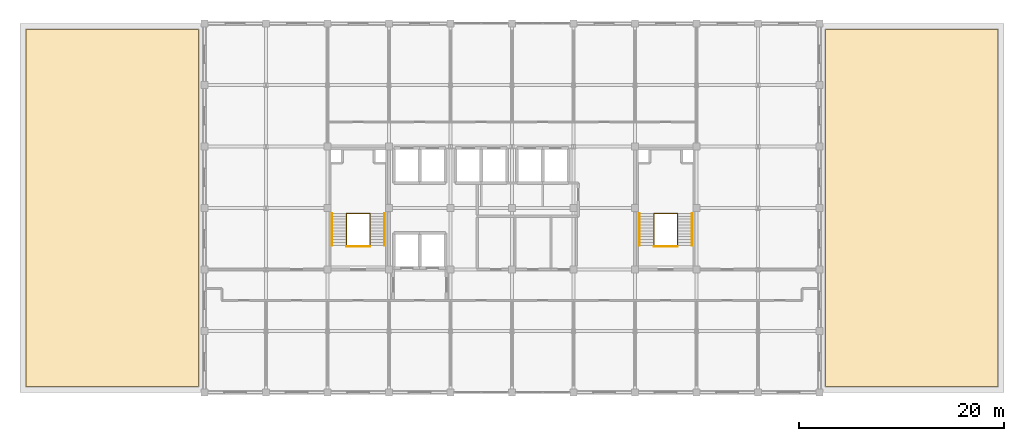
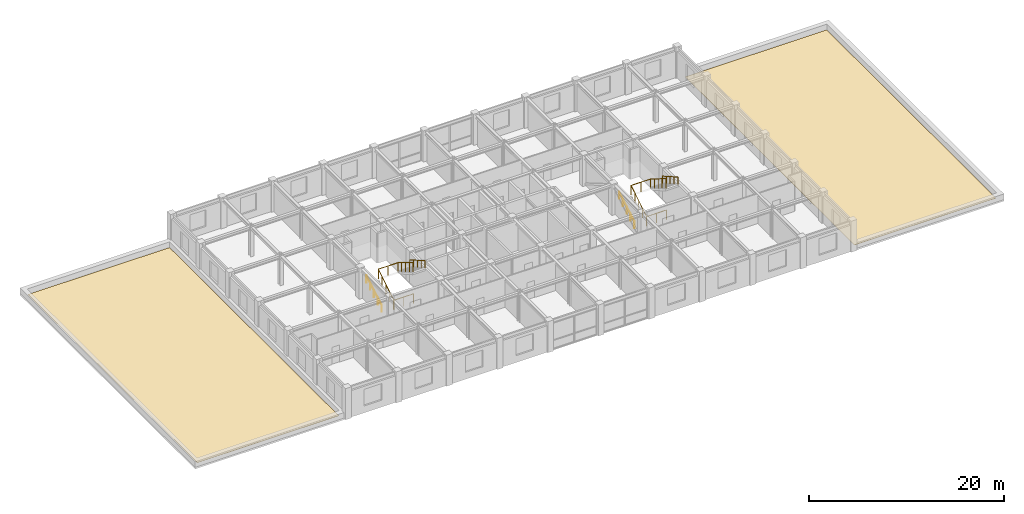
# One storey, part 13 of 13: 8 railings, 2 coverings.
"""IFC4 building model written with IfcOpenShell, lengths in metres."""

from ifc_helpers import new_model, si_unit, direction, frame, origin, origin_2d, place, context, subcontext, project, spatial, polyline, circle, outline, extrude, material, layer, layer_set, type_object, element, save


model = new_model("IFC4")

# Units and contexts
model_context = context("Model", 3, precision=1e-05, world=origin(), true_north=direction((0.0, 1.0)))
body_context = subcontext(model_context, "Body", "Model", "MODEL_VIEW")
ifc_project = project(units=[si_unit("LENGTHUNIT", "METRE"), si_unit("AREAUNIT", "SQUARE_METRE"), si_unit("VOLUMEUNIT", "CUBIC_METRE"), si_unit("PLANEANGLEUNIT", "RADIAN"), si_unit("MASSUNIT", "GRAM", prefix="KILO")], contexts=[model_context])

# Site, building, storey
site_placement = place(None, origin())
site = spatial("IfcSite", under=ifc_project, at=site_placement, CompositionType="ELEMENT")
building_placement = place(site_placement, origin())
building = spatial("IfcBuilding", under=site, at=building_placement, Name="Zlatovratsky Civic Hall", CompositionType="ELEMENT")
storey_placement = place(building_placement, frame((0.0, 0.0, 24.89990234375)))
storey = spatial("IfcBuildingStorey", under=building, at=storey_placement, Name="L06", CompositionType="ELEMENT", Elevation=24.89990234375)

# Coverings
ifc_material_1 = material(Name="Standing-seam patinated copper roofing")
ifc_layer = layer(ifc_material_1, 0.030029296875)
ifc_layer_set = layer_set([ifc_layer], Name="Standing-seam patinated copper roofing")
covering_type = type_object("IfcCoveringType", Name="Covering_CopperMansardRoofing", PredefinedType="ROOFING", material=ifc_layer_set)
covering_1_placement = place(storey_placement, origin())
element("IfcCovering", 1, at=covering_1_placement, inside=storey, type_object=covering_type, Name="RFG-L05-W", PredefinedType="ROOFING", context=body_context, shape_type="SweptSolid", body=[
    extrude(outline(polyline([(36.60009765625, 72.60009765625), (53.39990234375, 72.60009765625), (53.39990234375, 107.39990234375), (36.60009765625, 107.39990234375), (36.60009765625, 72.60009765625)])), origin(), (0.0, 0.0, 1.0), 0.030029296875),
])
covering_2_placement = place(storey_placement, origin())
element("IfcCovering", 2, at=covering_2_placement, inside=storey, type_object=covering_type, Name="RFG-L05-E", PredefinedType="ROOFING", context=body_context, shape_type="SweptSolid", body=[
    extrude(outline(polyline([(114.60009765625, 72.60009765625), (131.39990234375, 72.60009765625), (131.39990234375, 107.39990234375), (114.60009765625, 107.39990234375), (114.60009765625, 72.60009765625)])), origin(), (0.0, 0.0, 1.0), 0.030029296875),
])

# Railings
ifc_material_2 = material(Name="Brushed stainless steel AISI 304", Category="steel")
railing_type_1 = type_object("IfcRailingType", Name="Railing_Guardrail_1200", PredefinedType="GUARDRAIL", material=ifc_material_2)
railing_1_placement = place(storey_placement, frame((67.840087890625, 86.35009765625, 0.0)))
element("IfcRailing", 3, at=railing_1_placement, inside=storey, type_object=railing_type_1, Name="RL-0524", PredefinedType="GUARDRAIL", context=body_context, shape_type="SweptSolid", body=[
    extrude(circle(Radius=0.02392578125, at=origin_2d()), frame((0.0, 0.0, 1.17578125), z_axis=(0.0, 0.849114602454, 0.528208663219), x_axis=(-1.0, 0.0, 0.0)), (0.0, 0.0, 1.0), 3.692138671875),
    extrude(circle(Radius=0.02392578125, at=origin_2d()), frame((0.0, 3.135009765625, 3.1259765625), z_axis=(1.0, 0.0, 0.0), x_axis=(0.0, 1.0, 0.0)), (0.0, 0.0, 1.0), 2.31982421875),
    extrude(circle(Radius=0.02392578125, at=origin_2d()), frame((2.31982421875, 3.135009765625, 3.1259765625), z_axis=(0.0, -0.849144259976, 0.528160984692), x_axis=(1.0, 0.0, 0.0)), (0.0, 0.0, 1.0), 3.69189453125),
    extrude(circle(Radius=0.02099609375, at=origin_2d()), origin(), (0.0, 0.0, 1.0), 1.15185546875),
    extrude(circle(Radius=0.02099609375, at=origin_2d()), frame((0.0, 0.78369140625, 0.487548828125)), (0.0, 0.0, 1.0), 1.15185546875),
    extrude(circle(Radius=0.02099609375, at=origin_2d()), frame((0.0, 1.5673828125, 0.97509765625)), (0.0, 0.0, 1.0), 1.15185546875),
    extrude(circle(Radius=0.02099609375, at=origin_2d()), frame((0.0, 2.351318359375, 1.462646484375)), (0.0, 0.0, 1.0), 1.15185546875),
    extrude(circle(Radius=0.02099609375, at=origin_2d()), frame((0.0, 3.135009765625, 1.9501953125)), (0.0, 0.0, 1.0), 1.15185546875),
    extrude(circle(Radius=0.02099609375, at=origin_2d()), frame((1.159912109375, 3.135009765625, 1.9501953125)), (0.0, 0.0, 1.0), 1.15185546875),
    extrude(circle(Radius=0.02099609375, at=origin_2d()), frame((2.31982421875, 3.135009765625, 1.9501953125)), (0.0, 0.0, 1.0), 1.15185546875),
    extrude(circle(Radius=0.02099609375, at=origin_2d()), frame((2.31982421875, 2.351318359375, 2.437744140625)), (0.0, 0.0, 1.0), 1.15185546875),
    extrude(circle(Radius=0.02099609375, at=origin_2d()), frame((2.31982421875, 1.5673828125, 2.92529296875)), (0.0, 0.0, 1.0), 1.15185546875),
    extrude(circle(Radius=0.02099609375, at=origin_2d()), frame((2.31982421875, 0.78369140625, 3.41259765625)), (0.0, 0.0, 1.0), 1.15185546875),
    extrude(circle(Radius=0.02099609375, at=origin_2d()), frame((2.31982421875, 0.0, 3.900146484375)), (0.0, 0.0, 1.0), 1.15185546875),
])
railing_2_placement = place(storey_placement, frame((67.840087890625, 86.27001953125, 0.0)))
element("IfcRailing", 4, at=railing_2_placement, inside=storey, type_object=railing_type_1, Name="RL-0527", PredefinedType="GUARDRAIL", context=body_context, shape_type="SweptSolid", body=[
    extrude(circle(Radius=0.02392578125, at=origin_2d()), frame((0.0, 0.0, 1.17578125), z_axis=(1.0, 0.0, 0.0), x_axis=(0.0, 1.0, 0.0)), (0.0, 0.0, 1.0), 2.31982421875),
    extrude(circle(Radius=0.02099609375, at=origin_2d()), origin(), (0.0, 0.0, 1.0), 1.15185546875),
    extrude(circle(Radius=0.02099609375, at=origin_2d()), frame((1.159912109375, 0.0, 0.0)), (0.0, 0.0, 1.0), 1.15185546875),
    extrude(circle(Radius=0.02099609375, at=origin_2d()), frame((2.31982421875, 0.0, 0.0)), (0.0, 0.0, 1.0), 1.15185546875),
])
railing_3_placement = place(storey_placement, frame((97.840087890625, 86.35009765625, 0.0)))
element("IfcRailing", 5, at=railing_3_placement, inside=storey, type_object=railing_type_1, Name="RL-0600", PredefinedType="GUARDRAIL", context=body_context, shape_type="SweptSolid", body=[
    extrude(circle(Radius=0.02392578125, at=origin_2d()), frame((0.0, 0.0, 1.17578125), z_axis=(0.0, 0.849114602454, 0.528208663219), x_axis=(-1.0, 0.0, 0.0)), (0.0, 0.0, 1.0), 3.692138671875),
    extrude(circle(Radius=0.02392578125, at=origin_2d()), frame((0.0, 3.135009765625, 3.1259765625), z_axis=(1.0, 0.0, 0.0), x_axis=(0.0, 1.0, 0.0)), (0.0, 0.0, 1.0), 2.31982421875),
    extrude(circle(Radius=0.02392578125, at=origin_2d()), frame((2.31982421875, 3.135009765625, 3.1259765625), z_axis=(0.0, -0.849144259976, 0.528160984692), x_axis=(1.0, 0.0, 0.0)), (0.0, 0.0, 1.0), 3.69189453125),
    extrude(circle(Radius=0.02099609375, at=origin_2d()), origin(), (0.0, 0.0, 1.0), 1.15185546875),
    extrude(circle(Radius=0.02099609375, at=origin_2d()), frame((0.0, 0.78369140625, 0.487548828125)), (0.0, 0.0, 1.0), 1.15185546875),
    extrude(circle(Radius=0.02099609375, at=origin_2d()), frame((0.0, 1.5673828125, 0.97509765625)), (0.0, 0.0, 1.0), 1.15185546875),
    extrude(circle(Radius=0.02099609375, at=origin_2d()), frame((0.0, 2.351318359375, 1.462646484375)), (0.0, 0.0, 1.0), 1.15185546875),
    extrude(circle(Radius=0.02099609375, at=origin_2d()), frame((0.0, 3.135009765625, 1.9501953125)), (0.0, 0.0, 1.0), 1.15185546875),
    extrude(circle(Radius=0.02099609375, at=origin_2d()), frame((1.159912109375, 3.135009765625, 1.9501953125)), (0.0, 0.0, 1.0), 1.15185546875),
    extrude(circle(Radius=0.02099609375, at=origin_2d()), frame((2.31982421875, 3.135009765625, 1.9501953125)), (0.0, 0.0, 1.0), 1.15185546875),
    extrude(circle(Radius=0.02099609375, at=origin_2d()), frame((2.31982421875, 2.351318359375, 2.437744140625)), (0.0, 0.0, 1.0), 1.15185546875),
    extrude(circle(Radius=0.02099609375, at=origin_2d()), frame((2.31982421875, 1.5673828125, 2.92529296875)), (0.0, 0.0, 1.0), 1.15185546875),
    extrude(circle(Radius=0.02099609375, at=origin_2d()), frame((2.31982421875, 0.78369140625, 3.41259765625)), (0.0, 0.0, 1.0), 1.15185546875),
    extrude(circle(Radius=0.02099609375, at=origin_2d()), frame((2.31982421875, 0.0, 3.900146484375)), (0.0, 0.0, 1.0), 1.15185546875),
])
railing_4_placement = place(storey_placement, frame((97.840087890625, 86.27001953125, 0.0)))
element("IfcRailing", 6, at=railing_4_placement, inside=storey, type_object=railing_type_1, Name="RL-0603", PredefinedType="GUARDRAIL", context=body_context, shape_type="SweptSolid", body=[
    extrude(circle(Radius=0.02392578125, at=origin_2d()), frame((0.0, 0.0, 1.17578125), z_axis=(1.0, 0.0, 0.0), x_axis=(0.0, 1.0, 0.0)), (0.0, 0.0, 1.0), 2.31982421875),
    extrude(circle(Radius=0.02099609375, at=origin_2d()), origin(), (0.0, 0.0, 1.0), 1.15185546875),
    extrude(circle(Radius=0.02099609375, at=origin_2d()), frame((1.159912109375, 0.0, 0.0)), (0.0, 0.0, 1.0), 1.15185546875),
    extrude(circle(Radius=0.02099609375, at=origin_2d()), frame((2.31982421875, 0.0, 0.0)), (0.0, 0.0, 1.0), 1.15185546875),
])
railing_type_2 = type_object("IfcRailingType", Name="Railing_Handrail_900", PredefinedType="HANDRAIL", material=ifc_material_2)
railing_5_placement = place(storey_placement, frame((66.429931640625, 86.35009765625, 0.162109375)))
element("IfcRailing", 7, at=railing_5_placement, inside=storey, type_object=railing_type_2, Name="RL-0525", PredefinedType="HANDRAIL", context=body_context, shape_type="SweptSolid", body=[
    extrude(circle(Radius=0.02392578125, at=origin_2d()), frame((0.0, 0.0, 0.8759765625), z_axis=(0.0, 0.868642492313, 0.495439421673), x_axis=(-1.0, 0.0, 0.0)), (0.0, 0.0, 1.0), 3.609130859375),
    extrude(circle(Radius=0.02099609375, at=origin_2d()), origin(), (0.0, 0.0, 1.0), 0.851806640625),
    extrude(circle(Radius=0.02099609375, at=origin_2d()), frame((0.0, 0.78369140625, 0.447021484375)), (0.0, 0.0, 1.0), 0.851806640625),
    extrude(circle(Radius=0.02099609375, at=origin_2d()), frame((0.0, 1.5673828125, 0.89404296875)), (0.0, 0.0, 1.0), 0.851806640625),
    extrude(circle(Radius=0.02099609375, at=origin_2d()), frame((0.0, 2.351318359375, 1.341064453125)), (0.0, 0.0, 1.0), 0.851806640625),
    extrude(circle(Radius=0.02099609375, at=origin_2d()), frame((0.0, 3.135009765625, 1.7880859375)), (0.0, 0.0, 1.0), 0.851806640625),
])
railing_6_placement = place(storey_placement, frame((71.570068359375, 89.485107421875, 2.113037109375)))
element("IfcRailing", 8, at=railing_6_placement, inside=storey, type_object=railing_type_2, Name="RL-0526", PredefinedType="HANDRAIL", context=body_context, shape_type="SweptSolid", body=[
    extrude(circle(Radius=0.02392578125, at=origin_2d()), frame((0.0, 0.0, 0.8759765625), z_axis=(0.0, -0.868758932409, 0.495235214176), x_axis=(1.0, 0.0, 0.0)), (0.0, 0.0, 1.0), 3.608642578125),
    extrude(circle(Radius=0.02099609375, at=origin_2d()), origin(), (0.0, 0.0, 1.0), 0.851806640625),
    extrude(circle(Radius=0.02099609375, at=origin_2d()), frame((0.0, -0.78369140625, 0.44677734375)), (0.0, 0.0, 1.0), 0.851806640625),
    extrude(circle(Radius=0.02099609375, at=origin_2d()), frame((0.0, -1.5673828125, 0.8935546875)), (0.0, 0.0, 1.0), 0.851806640625),
    extrude(circle(Radius=0.02099609375, at=origin_2d()), frame((0.0, -2.351318359375, 1.34033203125)), (0.0, 0.0, 1.0), 0.851806640625),
    extrude(circle(Radius=0.02099609375, at=origin_2d()), frame((0.0, -3.135009765625, 1.787109375)), (0.0, 0.0, 1.0), 0.851806640625),
])
railing_7_placement = place(storey_placement, frame((96.429931640625, 86.35009765625, 0.162109375)))
element("IfcRailing", 9, at=railing_7_placement, inside=storey, type_object=railing_type_2, Name="RL-0601", PredefinedType="HANDRAIL", context=body_context, shape_type="SweptSolid", body=[
    extrude(circle(Radius=0.02392578125, at=origin_2d()), frame((0.0, 0.0, 0.8759765625), z_axis=(0.0, 0.868642492313, 0.495439421673), x_axis=(-1.0, 0.0, 0.0)), (0.0, 0.0, 1.0), 3.609130859375),
    extrude(circle(Radius=0.02099609375, at=origin_2d()), origin(), (0.0, 0.0, 1.0), 0.851806640625),
    extrude(circle(Radius=0.02099609375, at=origin_2d()), frame((0.0, 0.78369140625, 0.447021484375)), (0.0, 0.0, 1.0), 0.851806640625),
    extrude(circle(Radius=0.02099609375, at=origin_2d()), frame((0.0, 1.5673828125, 0.89404296875)), (0.0, 0.0, 1.0), 0.851806640625),
    extrude(circle(Radius=0.02099609375, at=origin_2d()), frame((0.0, 2.351318359375, 1.341064453125)), (0.0, 0.0, 1.0), 0.851806640625),
    extrude(circle(Radius=0.02099609375, at=origin_2d()), frame((0.0, 3.135009765625, 1.7880859375)), (0.0, 0.0, 1.0), 0.851806640625),
])
railing_8_placement = place(storey_placement, frame((101.570068359375, 89.485107421875, 2.113037109375)))
element("IfcRailing", 10, at=railing_8_placement, inside=storey, type_object=railing_type_2, Name="RL-0602", PredefinedType="HANDRAIL", context=body_context, shape_type="SweptSolid", body=[
    extrude(circle(Radius=0.02392578125, at=origin_2d()), frame((0.0, 0.0, 0.8759765625), z_axis=(0.0, -0.868758932409, 0.495235214176), x_axis=(1.0, 0.0, 0.0)), (0.0, 0.0, 1.0), 3.608642578125),
    extrude(circle(Radius=0.02099609375, at=origin_2d()), origin(), (0.0, 0.0, 1.0), 0.851806640625),
    extrude(circle(Radius=0.02099609375, at=origin_2d()), frame((0.0, -0.78369140625, 0.44677734375)), (0.0, 0.0, 1.0), 0.851806640625),
    extrude(circle(Radius=0.02099609375, at=origin_2d()), frame((0.0, -1.5673828125, 0.8935546875)), (0.0, 0.0, 1.0), 0.851806640625),
    extrude(circle(Radius=0.02099609375, at=origin_2d()), frame((0.0, -2.351318359375, 1.34033203125)), (0.0, 0.0, 1.0), 0.851806640625),
    extrude(circle(Radius=0.02099609375, at=origin_2d()), frame((0.0, -3.135009765625, 1.787109375)), (0.0, 0.0, 1.0), 0.851806640625),
])

save(model, "model.ifc")
